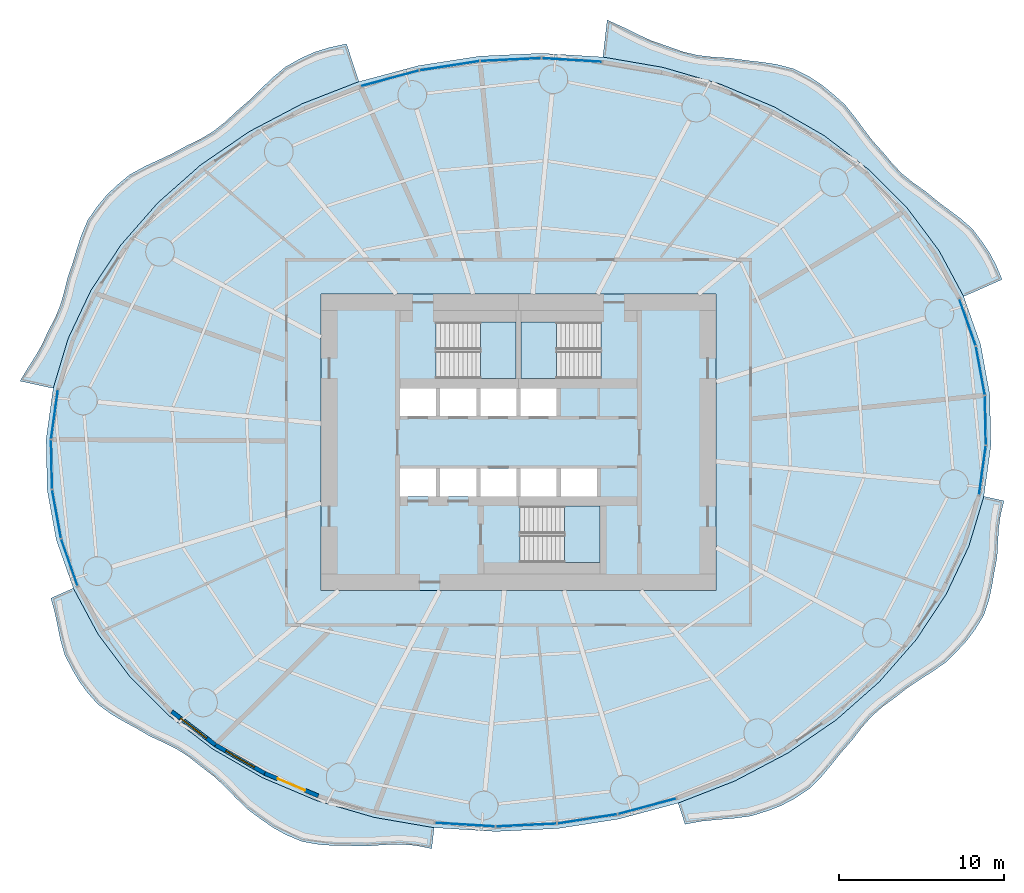
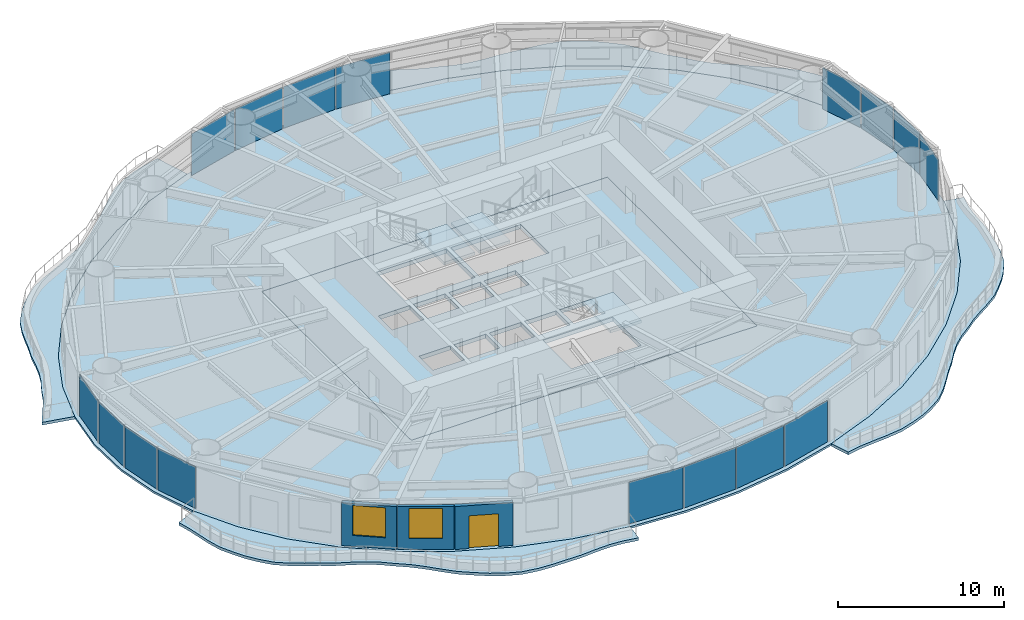
# One storey, part 7 of 16: 16 plates, 9 slabs, 3 walls, 2 windows, 1 door, 3 openings, 19 elements without a shape of their own.
"""IFC4 building model written with IfcOpenShell, lengths in metres."""

import ifcopenshell
import ifcopenshell.guid

model = None  # the IFC model being written
_history = None  # IfcOwnerHistory: only IFC2X3 demands one
_inside = {}  # id of a spatial element -> (the spatial element, [elements in it])
_under = {}  # id of a project, library or spatial element -> (it, [spatial elements below it])
_declared = {}  # id of a project -> (the project, [libraries it declares])
_typed = {}  # id of a type object -> (the type object, [elements of that type])
_made_of = {}  # id of a material, layer set ... -> (it, [elements and type objects made of it])


def new_model(schema):
    """Start an empty IFC model of exactly this schema.

    Asked for "IFC4X3", IfcOpenShell would pick the latest addendum, in which some entities
    have other attributes; the version numbers below select the first issue.
    IFC2X3 requires an IfcOwnerHistory on every rooted entity: one is made here for all.
    """
    global model, _history
    if schema == "IFC4X3":
        model = ifcopenshell.file(schema_version=(4, 3, 0, 0))
    else:
        model = ifcopenshell.file(schema=schema)
    _inside.clear()
    _under.clear()
    _declared.clear()
    _typed.clear()
    _made_of.clear()
    _history = None
    if model.schema == "IFC2X3":
        org = make("IfcOrganization", Name="unknown")
        user = make(
            "IfcPersonAndOrganization",
            ThePerson=make("IfcPerson", FamilyName="unknown"),
            TheOrganization=org,
        )
        app = make(
            "IfcApplication",
            ApplicationDeveloper=org,
            Version="unknown",
            ApplicationFullName="unknown",
            ApplicationIdentifier="unknown",
        )
        _history = make(
            "IfcOwnerHistory",
            OwningUser=user,
            OwningApplication=app,
            ChangeAction="ADDED",
            CreationDate=0,
        )
    return model


def make(cls, **values):
    """One entity of the class cls with the attributes given. An attribute that is None is left unset."""
    return model.create_entity(
        cls, **{name: value for name, value in values.items() if value is not None}
    )


def rooted(cls, **values):
    """An entity with a GlobalId (a new one), such as an element, a storey or a relation."""
    return make(cls, GlobalId=ifcopenshell.guid.new(), OwnerHistory=_history, **values)


def si_unit(unit_type, name, prefix=None):
    """IfcSIUnit, for example si_unit("LENGTHUNIT", "METRE", prefix="MILLI")."""
    return make("IfcSIUnit", UnitType=unit_type, Prefix=prefix, Name=name)


def assignment(units):
    """IfcUnitAssignment: the units of a project."""
    return None if units is None else make("IfcUnitAssignment", Units=units)


def point(xyz):
    """IfcCartesianPoint."""
    return None if xyz is None else make("IfcCartesianPoint", Coordinates=xyz)


def direction(xyz):
    """IfcDirection."""
    return None if xyz is None else make("IfcDirection", DirectionRatios=xyz)


def frame(location, z_axis=None, x_axis=None):
    """IfcAxis2Placement3D, a coordinate frame: its origin and axes. An axis left out is left unset."""
    return make(
        "IfcAxis2Placement3D",
        Location=point(location),
        Axis=direction(z_axis),
        RefDirection=direction(x_axis),
    )


def frame_2d(location, x_axis=None):
    """IfcAxis2Placement2D, a coordinate frame in the plane: its origin and x axis."""
    return make(
        "IfcAxis2Placement2D", Location=point(location), RefDirection=direction(x_axis)
    )


def origin():
    """The frame at (0, 0, 0) with its axes left unset."""
    return frame((0.0, 0.0, 0.0))


def origin_2d():
    """The frame at (0, 0) in the plane with its x axis left unset."""
    return frame_2d((0.0, 0.0))


def place(relative_to, where):
    """IfcLocalPlacement: puts the frame where relative to a parent placement (None: the world)."""
    return make(
        "IfcLocalPlacement", PlacementRelTo=relative_to, RelativePlacement=where
    )


def context(
    kind, dimensions, precision=None, world=None, true_north=None, identifier=None
):
    """IfcGeometricRepresentationContext, for example the 3D "Model" context."""
    return make(
        "IfcGeometricRepresentationContext",
        ContextIdentifier=identifier,
        ContextType=kind,
        CoordinateSpaceDimension=dimensions,
        Precision=precision,
        WorldCoordinateSystem=world,
        TrueNorth=true_north,
    )


def subcontext(parent, identifier, kind, view, scale=None):
    """IfcGeometricRepresentationSubContext, for example "Body" below "Model"."""
    return make(
        "IfcGeometricRepresentationSubContext",
        ContextIdentifier=identifier,
        ContextType=kind,
        ParentContext=parent,
        TargetScale=scale,
        TargetView=view,
    )


def project(units=None, contexts=None):
    """IfcProject with its units and contexts."""
    return rooted(
        "IfcProject",
        Name="project",
        RepresentationContexts=contexts,
        UnitsInContext=assignment(units),
    )


def spatial(cls, under=None, at=None, **own):
    """A site, building, storey or space (cls), placed at a placement, below another one or the project."""
    s = rooted(cls, ObjectPlacement=at, **own)
    if under is not None:
        _under.setdefault(under.id(), (under, []))[1].append(s)
    return s


def polyline(points):
    """IfcPolyline through the points."""
    return make("IfcPolyline", Points=[point(p) for p in points])


def profile(cls, at=None, kind="AREA", **sizes):
    """A parametric profile (cls). Its sizes go by their IFC names, for example OverallWidth=200.0."""
    return make(cls, ProfileType=kind, Position=at, **sizes)


def rectangle(**sizes):
    """IfcRectangleProfileDef."""
    return profile("IfcRectangleProfileDef", **sizes)


def outline(outer, holes=None, kind="AREA"):
    """IfcArbitraryClosedProfileDef: a profile drawn as a closed curve; with holes, ...WithVoids."""
    if holes is None:
        return make("IfcArbitraryClosedProfileDef", ProfileType=kind, OuterCurve=outer)
    return make(
        "IfcArbitraryProfileDefWithVoids",
        ProfileType=kind,
        OuterCurve=outer,
        InnerCurves=holes,
    )


def extrude(swept, where, along, depth):
    """IfcExtrudedAreaSolid: the profile swept, set in the frame where, extruded along a direction by depth."""
    return make(
        "IfcExtrudedAreaSolid",
        SweptArea=swept,
        Position=where,
        ExtrudedDirection=direction(along),
        Depth=depth,
    )


def shape(context_of_items, identifier, shape_type, items):
    """IfcShapeRepresentation: the items that make up one representation, for example the "Body"."""
    return make(
        "IfcShapeRepresentation",
        ContextOfItems=context_of_items,
        RepresentationIdentifier=identifier,
        RepresentationType=shape_type,
        Items=items,
    )


def material(Name=None, Category=None):
    """IfcMaterial."""
    return make("IfcMaterial", Name=Name, Category=Category)


def layer(
    of_material, thickness, ventilated=None, Name=None, Category=None, Priority=None
):
    """IfcMaterialLayer: one layer of a wall or slab, of a material (None: an air gap)."""
    return make(
        "IfcMaterialLayer",
        Material=of_material,
        LayerThickness=thickness,
        IsVentilated=ventilated,
        Name=Name,
        Category=Category,
        Priority=Priority,
    )


def layer_set(layers, Name=None):
    """IfcMaterialLayerSet."""
    return make("IfcMaterialLayerSet", MaterialLayers=layers, LayerSetName=Name)


def made_of(thing, what):
    """Note that an element or type object is made of a material, layer set ...; save() writes the relation."""
    if what is not None:
        _made_of.setdefault(what.id(), (what, []))[1].append(thing)
    return thing


def type_object(cls, material=None, **own):
    """A type object (cls), such as IfcWallType, which elements share."""
    return made_of(rooted(cls, **own), material)


def element(
    cls,
    number,
    at=None,
    inside=None,
    cuts=None,
    type_object=None,
    material=None,
    context=None,
    identifier="Body",
    shape_type=None,
    held_by="IfcProductDefinitionShape",
    body=None,
    shapes=None,
    **own,
):
    """One element of the class cls, such as IfcWall. Its Tag is "e" and its number.

    at: its placement. inside: the storey or other place that contains it. cuts: it is an
    opening in that element (IfcRelVoidsElement). A single representation is given by context,
    identifier, shape_type and body (its items); several are given by shapes. held_by: the class
    of the entity that holds the representations. save() writes the other relations.
    """
    e = rooted(cls, Tag="e%d" % number, ObjectPlacement=at, **own)
    if body is not None:
        shapes = [shape(context, identifier, shape_type, body)]
    if shapes is not None:
        e.Representation = make(held_by, Representations=shapes)
    if inside is not None:
        _inside.setdefault(inside.id(), (inside, []))[1].append(e)
    if cuts is not None:
        rooted(
            "IfcRelVoidsElement", RelatingBuildingElement=cuts, RelatedOpeningElement=e
        )
    if type_object is not None:
        _typed.setdefault(type_object.id(), (type_object, []))[1].append(e)
    return made_of(e, material)


def fill(opening, filler):
    """IfcRelFillsElement: the door or window that sits in an opening."""
    return rooted(
        "IfcRelFillsElement",
        RelatingOpeningElement=opening,
        RelatedBuildingElement=filler,
    )


def aggregate(whole, parts):
    """IfcRelAggregates: a whole, such as a stair, and the parts it consists of."""
    return rooted("IfcRelAggregates", RelatingObject=whole, RelatedObjects=parts)


def save(model, path):
    """Write the relations noted so far, then the file.

    IfcRelAggregates (storeys below a building ...), IfcRelContainedInSpatialStructure (elements
    in a storey), IfcRelDefinesByType, IfcRelAssociatesMaterial and IfcRelDeclares: one each for
    every whole, place, type object, material and project.
    """
    for whole, parts in _under.values():
        aggregate(whole, parts)
    for where, things in _inside.values():
        rooted(
            "IfcRelContainedInSpatialStructure",
            RelatedElements=things,
            RelatingStructure=where,
        )
    for kind, things in _typed.values():
        rooted("IfcRelDefinesByType", RelatedObjects=things, RelatingType=kind)
    for what, things in _made_of.values():
        rooted("IfcRelAssociatesMaterial", RelatedObjects=things, RelatingMaterial=what)
    for by, libraries in _declared.values():
        rooted("IfcRelDeclares", RelatingContext=by, RelatedDefinitions=libraries)
    model.write(path)


model = new_model("IFC4")

# Units and contexts
model_context = context("Model", 3, precision=1e-05, world=origin(), true_north=direction((0.0, 1.0)))
body_context = subcontext(model_context, "Body", "Model", "MODEL_VIEW")
ifc_project = project(units=[si_unit("LENGTHUNIT", "METRE"), si_unit("AREAUNIT", "SQUARE_METRE"), si_unit("VOLUMEUNIT", "CUBIC_METRE"), si_unit("PLANEANGLEUNIT", "RADIAN"), si_unit("MASSUNIT", "GRAM", prefix="KILO")], contexts=[model_context])

# Site, building, storey
site_placement = place(None, origin())
site = spatial("IfcSite", under=ifc_project, at=site_placement, CompositionType="ELEMENT")
building_placement = place(site_placement, origin())
building = spatial("IfcBuilding", under=site, at=building_placement, Name="Vermilion Reach Broadcast Tower", CompositionType="ELEMENT")
storey_placement = place(building_placement, frame((0.0, 0.0, 58.199951171875)))
storey = spatial("IfcBuildingStorey", under=building, at=storey_placement, Name="L11", CompositionType="ELEMENT", Elevation=58.199951171875)

# Slabs
ifc_material_1 = material(Name="Concrete C40/50", Category="concrete")
ifc_layer_1 = layer(ifc_material_1, 0.199951171875)
ifc_layer_set_1 = layer_set([ifc_layer_1], Name="Balcony slab 200")
slab_type_1 = type_object("IfcSlabType", Name="Balcony slab 200", PredefinedType="FLOOR", material=ifc_layer_set_1)
placement_1 = place(storey_placement, frame((0.0, 0.0, -0.199951171875)))
element("IfcSlab", 1, at=placement_1, inside=storey, type_object=slab_type_1, Name="Balcony slab L11 group 1", PredefinedType="FLOOR", context=body_context, shape_type="SweptSolid", body=[
    extrude(outline(polyline([(21.045654296875, 8.86279296875), (19.548583984375, 11.647705078125), (17.6142578125, 14.2333984375), (15.27587890625, 16.575439453125), (12.57373046875, 18.6337890625), (9.553466796875, 20.37353515625), (6.267333984375, 21.764404296875), (2.77099609375, 22.783203125), (-0.875244140625, 23.411865234375), (-0.61328125, 25.660888671875), (0.37451171875, 25.21533203125), (1.23876953125, 24.784423828125), (2.109619140625, 24.391357421875), (3.06640625, 24.061279296875), (3.994873046875, 23.728759765625), (4.882568359375, 23.521484375), (5.798828125, 23.411376953125), (6.8310546875, 23.3486328125), (7.846435546875, 23.206787109375), (8.771728515625, 23.10400390625), (9.681884765625, 22.965576171875), (10.709716796875, 22.6982421875), (11.631103515625, 22.234619140625), (12.365234375, 21.763427734375), (13.052490234375, 21.2109375), (13.82861328125, 20.521484375), (14.469482421875, 19.72119140625), (14.989501953125, 19.00244140625), (15.525390625, 18.304443359375), (16.1689453125, 17.596435546875), (16.75390625, 16.8818359375), (17.3369140625, 16.294677734375), (17.98291015625, 15.7705078125), (18.760009765625, 15.224853515625), (19.480224609375, 14.62109375), (20.157958984375, 14.1201171875), (20.833984375, 13.617431640625), (21.592529296875, 12.951416015625), (22.18310546875, 12.16650390625), (22.624267578125, 11.50634765625), (22.99365234375, 10.8076171875), (23.385498046875, 9.896484375), (21.045654296875, 8.86279296875)])), origin(), (0.0, 0.0, 1.0), 0.199951171875),
])
element("IfcSlab", 2, at=placement_1, inside=storey, type_object=slab_type_1, Name="Balcony slab L11 group 2", PredefinedType="FLOOR", context=body_context, shape_type="SweptSolid", body=[
    extrude(outline(polyline([(-15.697265625, 21.916748046875), (-19.144287109375, 20.572509765625), (-22.36669921875, 18.876220703125), (-25.308837890625, 16.85693359375), (-27.9208984375, 14.549072265625), (-30.15771484375, 11.992431640625), (-31.981201171875, 9.23046875), (-33.360107421875, 6.310791015625), (-34.270751953125, 3.282958984375), (-36.286865234375, 3.72314453125), (-35.783203125, 4.5634765625), (-35.340576171875, 5.255615234375), (-34.93798828125, 5.9599609375), (-34.56884765625, 6.775146484375), (-34.1455078125, 7.574462890625), (-33.84130859375, 8.323486328125), (-33.60986328125, 9.10693359375), (-33.387939453125, 10.02197265625), (-33.067626953125, 10.939453125), (-32.8212890625, 11.768310546875), (-32.55908203125, 12.58642578125), (-32.161865234375, 13.519775390625), (-31.57470703125, 14.360595703125), (-31.03076171875, 15.012939453125), (-30.41552734375, 15.603271484375), (-29.634521484375, 16.254638671875), (-28.714599609375, 16.763427734375), (-27.888427734375, 17.144287109375), (-27.064697265625, 17.528076171875), (-26.20166015625, 18.0009765625), (-25.309326171875, 18.43408203125), (-24.545166015625, 18.897216796875), (-23.840087890625, 19.446533203125), (-23.11962890625, 20.123779296875), (-22.345947265625, 20.791015625), (-21.666748046875, 21.455078125), (-20.987060546875, 22.118408203125), (-20.164794921875, 22.80810546875), (-19.228759765625, 23.334716796875), (-18.38330078125, 23.713134765625), (-17.497314453125, 23.98681640625), (-16.45068359375, 24.2138671875), (-15.697265625, 21.916748046875)])), origin(), (0.0, 0.0, 1.0), 0.199951171875),
])
element("IfcSlab", 3, at=placement_1, inside=storey, type_object=slab_type_1, Name="Balcony slab L11 group 3", PredefinedType="FLOOR", context=body_context, shape_type="SweptSolid", body=[
    extrude(outline(polyline([(-33.045654296875, -8.86279296875), (-31.548583984375, -11.647705078125), (-29.6142578125, -14.2333984375), (-27.27587890625, -16.575439453125), (-24.57373046875, -18.6337890625), (-21.553466796875, -20.37353515625), (-18.267333984375, -21.764404296875), (-14.77099609375, -22.783203125), (-11.124755859375, -23.411865234375), (-11.27294921875, -24.68310546875), (-12.249755859375, -24.49169921875), (-13.17626953125, -24.422119140625), (-14.11962890625, -24.448486328125), (-15.173583984375, -24.524169921875), (-16.221435546875, -24.50634765625), (-17.167724609375, -24.500244140625), (-18.09814453125, -24.43896484375), (-19.151611328125, -24.249267578125), (-20.117919921875, -23.84814453125), (-20.902099609375, -23.411865234375), (-21.651611328125, -22.893798828125), (-22.49609375, -22.268798828125), (-23.231201171875, -21.54052734375), (-23.861572265625, -20.88916015625), (-24.51708984375, -20.28125), (-25.28271484375, -19.700439453125), (-26.00830078125, -19.11572265625), (-26.7255859375, -18.656005859375), (-27.49462890625, -18.26416015625), (-28.39404296875, -17.85400390625), (-29.234375, -17.361572265625), (-29.994384765625, -16.950927734375), (-30.732421875, -16.518798828125), (-31.55810546875, -15.915771484375), (-32.213623046875, -15.169677734375), (-32.691650390625, -14.519287109375), (-33.102294921875, -13.818359375), (-33.56103515625, -12.931396484375), (-33.832763671875, -11.978271484375), (-33.99755859375, -11.16943359375), (-34.16455078125, -10.36181640625), (-34.412353515625, -9.466552734375), (-33.045654296875, -8.86279296875)])), origin(), (0.0, 0.0, 1.0), 0.199951171875),
])
element("IfcSlab", 4, at=placement_1, inside=storey, type_object=slab_type_1, Name="Balcony slab L11 group 4", PredefinedType="FLOOR", context=body_context, shape_type="SweptSolid", body=[
    extrude(outline(polyline([(3.697265625, -21.916748046875), (7.144287109375, -20.572509765625), (10.36669921875, -18.876220703125), (13.308837890625, -16.85693359375), (15.9208984375, -14.549072265625), (18.15771484375, -11.992431640625), (19.981201171875, -9.23046875), (21.360107421875, -6.310791015625), (22.270751953125, -3.282958984375), (23.495849609375, -3.55029296875), (23.28515625, -4.41357421875), (23.17578125, -5.2060546875), (23.126220703125, -6.0166015625), (23.075927734375, -6.9697265625), (22.89453125, -7.92822265625), (22.75732421875, -8.756103515625), (22.580322265625, -9.5654296875), (22.263671875, -10.514404296875), (21.736328125, -11.380859375), (21.236572265625, -12.042236328125), (20.6669921875, -12.65771484375), (19.958251953125, -13.364501953125), (19.111328125, -13.955322265625), (18.35888671875, -14.42529296875), (17.626708984375, -14.9130859375), (16.880859375, -15.50439453125), (16.101806640625, -16.06982421875), (15.453125, -16.65185546875), (14.869384765625, -17.306884765625), (14.268798828125, -18.087158203125), (13.595947265625, -18.8515625), (13.013427734375, -19.57958984375), (12.42041015625, -20.291748046875), (11.67333984375, -21.041015625), (10.788330078125, -21.63134765625), (9.984375, -22.05859375), (9.130615234375, -22.39111328125), (8.117431640625, -22.70458984375), (7.038330078125, -22.8466796875), (6.07470703125, -22.92138671875), (5.11962890625, -23.0185546875), (4.119384765625, -23.20361328125), (3.697265625, -21.916748046875)])), origin(), (0.0, 0.0, 1.0), 0.199951171875),
])
ifc_material_2 = material(Name="Concrete C40", Category="concrete")
ifc_layer_2 = layer(ifc_material_2, 0.300048828125)
ifc_layer_set_2 = layer_set([ifc_layer_2], Name="Core floor slab 300 mm Concrete C40")
slab_type_2 = type_object("IfcSlabType", Name="Core floor slab 300 mm Concrete C40", PredefinedType="FLOOR", material=ifc_layer_set_2)
slab_5_placement = place(storey_placement, frame((0.0, 0.0, -0.300048828125)))
element("IfcSlab", 5, at=slab_5_placement, inside=storey, type_object=slab_type_2, Name="L11 core floor", PredefinedType="FLOOR", context=body_context, shape_type="SweptSolid", body=[
    extrude(outline(polyline([(-18.0, -9.0), (6.0, -9.0), (6.0, 9.0), (-18.0, 9.0), (-18.0, -9.0)]), holes=[polyline([(-13.199951171875, 1.60009765625), (-11.00830078125, 1.60009765625), (-11.00830078125, 3.280029296875), (-13.199951171875, 3.280029296875), (-13.199951171875, 1.60009765625)]), polyline([(-10.75830078125, 1.60009765625), (-8.566650390625, 1.60009765625), (-8.566650390625, 3.280029296875), (-10.75830078125, 3.280029296875), (-10.75830078125, 1.60009765625)]), polyline([(-8.316650390625, 1.60009765625), (-6.125, 1.60009765625), (-6.125, 3.280029296875), (-8.316650390625, 3.280029296875), (-8.316650390625, 1.60009765625)]), polyline([(-5.875, 1.60009765625), (-3.683349609375, 1.60009765625), (-3.683349609375, 3.280029296875), (-5.875, 3.280029296875), (-5.875, 1.60009765625)]), polyline([(-13.199951171875, -3.280029296875), (-11.00830078125, -3.280029296875), (-11.00830078125, -1.60009765625), (-13.199951171875, -1.60009765625), (-13.199951171875, -3.280029296875)]), polyline([(-10.75830078125, -3.280029296875), (-8.566650390625, -3.280029296875), (-8.566650390625, -1.60009765625), (-10.75830078125, -1.60009765625), (-10.75830078125, -3.280029296875)]), polyline([(-8.316650390625, -3.280029296875), (-6.125, -3.280029296875), (-6.125, -1.60009765625), (-8.316650390625, -1.60009765625), (-8.316650390625, -3.280029296875)]), polyline([(-5.875, -3.280029296875), (-3.683349609375, -3.280029296875), (-3.683349609375, -1.60009765625), (-5.875, -1.60009765625), (-5.875, -3.280029296875)]), polyline([(-3.433349609375, -3.280029296875), (-1.24169921875, -3.280029296875), (-1.24169921875, -1.60009765625), (-3.433349609375, -1.60009765625), (-3.433349609375, -3.280029296875)]), polyline([(-10.999267578125, 3.8798828125), (-6.14990234375, 3.8798828125), (-6.14990234375, 7.300048828125), (-10.999267578125, 7.300048828125), (-10.999267578125, 3.8798828125)]), polyline([(-1.000732421875, 7.300048828125), (-5.85009765625, 7.300048828125), (-5.85009765625, 3.8798828125), (-1.000732421875, 3.8798828125), (-1.000732421875, 7.300048828125)]), polyline([(-5.8994140625, -7.300048828125), (-1.050048828125, -7.300048828125), (-1.050048828125, -3.8798828125), (-5.8994140625, -3.8798828125), (-5.8994140625, -7.300048828125)])]), origin(), (0.0, 0.0, 1.0), 0.300048828125),
])

# Stair, slab
ifc_material_3 = material(Name="Concrete C40", Category="concrete")
stair_type = type_object("IfcStairType", Name="Exit stair RC 22 risers 168 mm", PredefinedType="HALF_TURN_STAIR", material=ifc_material_3)
placement_2 = place(storey_placement, origin())
stair_1 = element("IfcStair", 6, at=placement_2, inside=storey, type_object=stair_type, Name="L11 Exit stair ST1", PredefinedType="HALF_TURN_STAIR")
ifc_material_4 = material(Name="Concrete C40", Category="concrete")
ifc_layer_3 = layer(ifc_material_4, 0.199951171875)
ifc_layer_set_3 = layer_set([ifc_layer_3], Name="Exit stair landing Concrete C40")
slab_type_3 = type_object("IfcSlabType", Name="Exit stair landing Concrete C40", PredefinedType="LANDING", material=ifc_layer_set_3)
placement_3 = place(storey_placement, frame((0.0, 0.0, 1.650146484375)))
slab_6 = element("IfcSlab", 7, at=placement_3, type_object=slab_type_3, Name="ST1 landing 1", PredefinedType="LANDING", context=body_context, shape_type="SweptSolid", body=[
    extrude(outline(polyline([(-8.300048828125, 3.8798828125), (-6.14990234375, 3.8798828125), (-6.14990234375, 7.300048828125), (-8.300048828125, 7.300048828125), (-8.300048828125, 3.8798828125)])), origin(), (0.0, 0.0, 1.0), 0.199951171875),
])
aggregate(stair_1, [slab_6])

stair_2 = element("IfcStair", 8, at=placement_2, inside=storey, type_object=stair_type, Name="L11 Exit stair ST2", PredefinedType="HALF_TURN_STAIR")
slab_7 = element("IfcSlab", 9, at=placement_3, type_object=slab_type_3, Name="ST2 landing 1", PredefinedType="LANDING", context=body_context, shape_type="SweptSolid", body=[
    extrude(outline(polyline([(-3.699951171875, 7.300048828125), (-5.85009765625, 7.300048828125), (-5.85009765625, 3.8798828125), (-3.699951171875, 3.8798828125), (-3.699951171875, 7.300048828125)])), origin(), (0.0, 0.0, 1.0), 0.199951171875),
])
aggregate(stair_2, [slab_7])

stair_3 = element("IfcStair", 10, at=placement_2, inside=storey, type_object=stair_type, Name="L11 Exit stair ST3", PredefinedType="HALF_TURN_STAIR")
slab_8 = element("IfcSlab", 11, at=placement_3, type_object=slab_type_3, Name="ST3 landing 1", PredefinedType="LANDING", context=body_context, shape_type="SweptSolid", body=[
    extrude(outline(polyline([(-3.199951171875, -7.300048828125), (-1.050048828125, -7.300048828125), (-1.050048828125, -3.8798828125), (-3.199951171875, -3.8798828125), (-3.199951171875, -7.300048828125)])), origin(), (0.0, 0.0, 1.0), 0.199951171875),
])
aggregate(stair_3, [slab_8])

# Slab
ifc_material_5 = material(Name="Concrete C40", Category="concrete")
ifc_layer_4 = layer(ifc_material_5, 0.14990234375)
ifc_layer_set_4 = layer_set([ifc_layer_4], Name="Floor slab Concrete C40 composite 150")
slab_type_4 = type_object("IfcSlabType", Name="Floor slab Concrete C40 composite 150", PredefinedType="FLOOR", material=ifc_layer_set_4)
slab_9_placement = place(storey_placement, frame((0.0, 0.0, -0.14990234375)))
element("IfcSlab", 12, at=slab_9_placement, inside=storey, type_object=slab_type_4, Name="Floor slab L11", PredefinedType="FLOOR", context=body_context, shape_type="SweptSolid", body=[
    extrude(outline(polyline([(22.634033203125, 2.888427734375), (22.080078125, 5.92626953125), (21.045654296875, 8.86279296875), (19.548583984375, 11.647705078125), (17.6142578125, 14.2333984375), (15.27587890625, 16.575439453125), (12.57373046875, 18.6337890625), (9.553466796875, 20.37353515625), (6.267333984375, 21.764404296875), (2.77099609375, 22.783203125), (-0.875244140625, 23.411865234375), (-4.609130859375, 23.64013671875), (-8.366943359375, 23.4638671875), (-12.083984375, 22.88623046875), (-15.697265625, 21.916748046875), (-19.144287109375, 20.572509765625), (-22.36669921875, 18.876220703125), (-25.308837890625, 16.85693359375), (-27.9208984375, 14.549072265625), (-30.15771484375, 11.992431640625), (-31.981201171875, 9.23046875), (-33.360107421875, 6.310791015625), (-34.270751953125, 3.282958984375), (-34.697998046875, 0.198974609375), (-34.634033203125, -2.888427734375), (-34.080078125, -5.92626953125), (-33.045654296875, -8.86279296875), (-31.548583984375, -11.647705078125), (-29.6142578125, -14.2333984375), (-27.27587890625, -16.575439453125), (-24.57373046875, -18.6337890625), (-21.553466796875, -20.37353515625), (-18.267333984375, -21.764404296875), (-14.77099609375, -22.783203125), (-11.124755859375, -23.411865234375), (-7.390869140625, -23.64013671875), (-3.633056640625, -23.4638671875), (0.083984375, -22.88623046875), (3.697265625, -21.916748046875), (7.144287109375, -20.572509765625), (10.36669921875, -18.876220703125), (13.308837890625, -16.85693359375), (15.9208984375, -14.549072265625), (18.15771484375, -11.992431640625), (19.981201171875, -9.23046875), (21.360107421875, -6.310791015625), (22.270751953125, -3.282958984375), (22.697998046875, -0.198974609375), (22.634033203125, 2.888427734375)]), holes=[polyline([(-18.0, -9.0), (6.0, -9.0), (6.0, 9.0), (-18.0, 9.0), (-18.0, -9.0)])]), origin(), (0.0, 0.0, 1.0), 0.14990234375),
])

# Curtain wall, plate
ifc_material_6 = material(Name="Low-e laminated clear glass in aluminium frame", Category="aluminium")
curtain_wall_type = type_object("IfcCurtainWallType", Name="Slot curtain wall", PredefinedType="NOTDEFINED", material=ifc_material_6)
curtain_wall_1 = element("IfcCurtainWall", 13, at=placement_2, inside=storey, type_object=curtain_wall_type, Name="Slot curtain wall L11 46", PredefinedType="NOTDEFINED")
ifc_material_7 = material(Name="Low-e laminated clear glass", Category="glass")
ifc_layer_5 = layer(ifc_material_7, 0.028076171875)
ifc_layer_set_5 = layer_set([ifc_layer_5], Name="Slot glass panel")
plate_type = type_object("IfcPlateType", Name="Slot glass panel", PredefinedType="CURTAIN_PANEL", material=ifc_layer_set_5)
plate_1_placement = place(storey_placement, frame((22.18798828125, -1.7001953125, 0.0), z_axis=(0.0, 0.0, 1.0), x_axis=(0.137177071639, 0.99054654157, 0.0)))
plate_1 = element("IfcPlate", 14, at=plate_1_placement, type_object=plate_type, Name="Slot glass panel L11 46", PredefinedType="CURTAIN_PANEL", context=body_context, shape_type="SweptSolid", body=[
    extrude(rectangle(XDim=2.986328125, YDim=0.028076171875, at=origin_2d()), origin(), (0.0, 0.0, 1.0), 3.050048828125),
])
aggregate(curtain_wall_1, [plate_1])

curtain_wall_2 = element("IfcCurtainWall", 15, at=placement_2, inside=storey, type_object=curtain_wall_type, Name="Slot curtain wall L11 47", PredefinedType="NOTDEFINED")
plate_2_placement = place(storey_placement, frame((22.366943359375, 1.33837890625, 0.0), z_axis=(0.0, 0.0, 1.0), x_axis=(-0.020711523595, 0.999785493389, 0.0)))
plate_2 = element("IfcPlate", 16, at=plate_2_placement, type_object=plate_type, Name="Slot glass panel L11 47", PredefinedType="CURTAIN_PANEL", context=body_context, shape_type="SweptSolid", body=[
    extrude(rectangle(XDim=2.960205078125, YDim=0.028076171875, at=origin_2d()), origin(), (0.0, 0.0, 1.0), 3.050048828125),
])
aggregate(curtain_wall_2, [plate_2])

curtain_wall_3 = element("IfcCurtainWall", 17, at=placement_2, inside=storey, type_object=curtain_wall_type, Name="Slot curtain wall L11 00", PredefinedType="NOTDEFINED")
plate_3_placement = place(storey_placement, frame((22.062744140625, 4.353759765625, 0.0), z_axis=(0.0, 0.0, 1.0), x_axis=(-0.179372872876, 0.983781160867, 0.0)))
plate_3 = element("IfcPlate", 18, at=plate_3_placement, type_object=plate_type, Name="Slot glass panel L11 00", PredefinedType="CURTAIN_PANEL", context=body_context, shape_type="SweptSolid", body=[
    extrude(rectangle(XDim=2.960205078125, YDim=0.028076171875, at=origin_2d()), origin(), (0.0, 0.0, 1.0), 3.050048828125),
])
aggregate(curtain_wall_3, [plate_3])

curtain_wall_4 = element("IfcCurtainWall", 19, at=placement_2, inside=storey, type_object=curtain_wall_type, Name="Slot curtain wall L11 01", PredefinedType="NOTDEFINED")
plate_4_placement = place(storey_placement, frame((21.28076171875, 7.29541015625, 0.0), z_axis=(0.0, 0.0, 1.0), x_axis=(-0.33223568943, 0.943196398779, 0.0)))
plate_4 = element("IfcPlate", 20, at=plate_4_placement, type_object=plate_type, Name="Slot glass panel L11 01", PredefinedType="CURTAIN_PANEL", context=body_context, shape_type="SweptSolid", body=[
    extrude(rectangle(XDim=2.986328125, YDim=0.028076171875, at=origin_2d()), origin(), (0.0, 0.0, 1.0), 3.050048828125),
])
aggregate(curtain_wall_4, [plate_4])

curtain_wall_5 = element("IfcCurtainWall", 21, at=placement_2, inside=storey, type_object=curtain_wall_type, Name="Slot curtain wall L11 10", PredefinedType="NOTDEFINED")
plate_5_placement = place(storey_placement, frame((-2.760498046875, 23.22705078125, 0.0), z_axis=(0.0, 0.0, 1.0), x_axis=(-0.99813740006, 0.061005988245, 0.0)))
plate_5 = element("IfcPlate", 22, at=plate_5_placement, type_object=plate_type, Name="Slot glass panel L11 10", PredefinedType="CURTAIN_PANEL", context=body_context, shape_type="SweptSolid", body=[
    extrude(rectangle(XDim=3.62841796875, YDim=0.028076171875, at=origin_2d()), origin(), (0.0, 0.0, 1.0), 3.050048828125),
])
aggregate(curtain_wall_5, [plate_5])

curtain_wall_6 = element("IfcCurtainWall", 23, at=placement_2, inside=storey, type_object=curtain_wall_type, Name="Slot curtain wall L11 11", PredefinedType="NOTDEFINED")
plate_6_placement = place(storey_placement, frame((-6.473876953125, 23.252685546875, 0.0), z_axis=(0.0, 0.0, 1.0), x_axis=(-0.998901611908, -0.046856906934, 0.0)))
plate_6 = element("IfcPlate", 24, at=plate_6_placement, type_object=plate_type, Name="Slot glass panel L11 11", PredefinedType="CURTAIN_PANEL", context=body_context, shape_type="SweptSolid", body=[
    extrude(rectangle(XDim=3.649658203125, YDim=0.028076171875, at=origin_2d()), origin(), (0.0, 0.0, 1.0), 3.050048828125),
])
aggregate(curtain_wall_6, [plate_6])

curtain_wall_7 = element("IfcCurtainWall", 25, at=placement_2, inside=storey, type_object=curtain_wall_type, Name="Slot curtain wall L11 12", PredefinedType="NOTDEFINED")
plate_7_placement = place(storey_placement, frame((-10.179443359375, 22.87890625, 0.0), z_axis=(0.0, 0.0, 1.0), x_axis=(-0.988136588321, -0.153577611719, 0.0)))
plate_7 = element("IfcPlate", 26, at=plate_7_placement, type_object=plate_type, Name="Slot glass panel L11 12", PredefinedType="CURTAIN_PANEL", context=body_context, shape_type="SweptSolid", body=[
    extrude(rectangle(XDim=3.649658203125, YDim=0.028076171875, at=origin_2d()), origin(), (0.0, 0.0, 1.0), 3.050048828125),
])
aggregate(curtain_wall_7, [plate_7])

curtain_wall_8 = element("IfcCurtainWall", 27, at=placement_2, inside=storey, type_object=curtain_wall_type, Name="Slot curtain wall L11 13", PredefinedType="NOTDEFINED")
plate_8_placement = place(storey_placement, frame((-13.81298828125, 22.1123046875, 0.0), z_axis=(0.0, 0.0, 1.0), x_axis=(-0.965846506344, -0.259114889931, 0.0)))
plate_8 = element("IfcPlate", 28, at=plate_8_placement, type_object=plate_type, Name="Slot glass panel L11 13", PredefinedType="CURTAIN_PANEL", context=body_context, shape_type="SweptSolid", body=[
    extrude(rectangle(XDim=3.62841796875, YDim=0.028076171875, at=origin_2d()), origin(), (0.0, 0.0, 1.0), 3.050048828125),
])
aggregate(curtain_wall_8, [plate_8])

curtain_wall_9 = element("IfcCurtainWall", 29, at=placement_2, inside=storey, type_object=curtain_wall_type, Name="Slot curtain wall L11 22", PredefinedType="NOTDEFINED")
plate_9_placement = place(storey_placement, frame((-34.18798828125, 1.7001953125, 0.0), z_axis=(0.0, 0.0, 1.0), x_axis=(-0.137177071639, -0.99054654157, 0.0)))
plate_9 = element("IfcPlate", 30, at=plate_9_placement, type_object=plate_type, Name="Slot glass panel L11 22", PredefinedType="CURTAIN_PANEL", context=body_context, shape_type="SweptSolid", body=[
    extrude(rectangle(XDim=2.986328125, YDim=0.028076171875, at=origin_2d()), origin(), (0.0, 0.0, 1.0), 3.050048828125),
])
aggregate(curtain_wall_9, [plate_9])

curtain_wall_10 = element("IfcCurtainWall", 31, at=placement_2, inside=storey, type_object=curtain_wall_type, Name="Slot curtain wall L11 23", PredefinedType="NOTDEFINED")
plate_10_placement = place(storey_placement, frame((-34.366943359375, -1.33837890625, 0.0), z_axis=(0.0, 0.0, 1.0), x_axis=(0.020711523595, -0.999785493389, 0.0)))
plate_10 = element("IfcPlate", 32, at=plate_10_placement, type_object=plate_type, Name="Slot glass panel L11 23", PredefinedType="CURTAIN_PANEL", context=body_context, shape_type="SweptSolid", body=[
    extrude(rectangle(XDim=2.960205078125, YDim=0.028076171875, at=origin_2d()), origin(), (0.0, 0.0, 1.0), 3.050048828125),
])
aggregate(curtain_wall_10, [plate_10])

curtain_wall_11 = element("IfcCurtainWall", 33, at=placement_2, inside=storey, type_object=curtain_wall_type, Name="Slot curtain wall L11 24", PredefinedType="NOTDEFINED")
plate_11_placement = place(storey_placement, frame((-34.062744140625, -4.353759765625, 0.0), z_axis=(0.0, 0.0, 1.0), x_axis=(0.179372872876, -0.983781160867, 0.0)))
plate_11 = element("IfcPlate", 34, at=plate_11_placement, type_object=plate_type, Name="Slot glass panel L11 24", PredefinedType="CURTAIN_PANEL", context=body_context, shape_type="SweptSolid", body=[
    extrude(rectangle(XDim=2.960205078125, YDim=0.028076171875, at=origin_2d()), origin(), (0.0, 0.0, 1.0), 3.050048828125),
])
aggregate(curtain_wall_11, [plate_11])

curtain_wall_12 = element("IfcCurtainWall", 35, at=placement_2, inside=storey, type_object=curtain_wall_type, Name="Slot curtain wall L11 25", PredefinedType="NOTDEFINED")
plate_12_placement = place(storey_placement, frame((-33.28076171875, -7.29541015625, 0.0), z_axis=(0.0, 0.0, 1.0), x_axis=(0.33223568943, -0.943196398779, 0.0)))
plate_12 = element("IfcPlate", 36, at=plate_12_placement, type_object=plate_type, Name="Slot glass panel L11 25", PredefinedType="CURTAIN_PANEL", context=body_context, shape_type="SweptSolid", body=[
    extrude(rectangle(XDim=2.986328125, YDim=0.028076171875, at=origin_2d()), origin(), (0.0, 0.0, 1.0), 3.050048828125),
])
aggregate(curtain_wall_12, [plate_12])

curtain_wall_13 = element("IfcCurtainWall", 37, at=placement_2, inside=storey, type_object=curtain_wall_type, Name="Slot curtain wall L11 34", PredefinedType="NOTDEFINED")
plate_13_placement = place(storey_placement, frame((-9.239501953125, -23.22705078125, 0.0), z_axis=(0.0, 0.0, 1.0), x_axis=(0.99813740006, -0.061005988245, 0.0)))
plate_13 = element("IfcPlate", 38, at=plate_13_placement, type_object=plate_type, Name="Slot glass panel L11 34", PredefinedType="CURTAIN_PANEL", context=body_context, shape_type="SweptSolid", body=[
    extrude(rectangle(XDim=3.62841796875, YDim=0.028076171875, at=origin_2d()), origin(), (0.0, 0.0, 1.0), 3.050048828125),
])
aggregate(curtain_wall_13, [plate_13])

curtain_wall_14 = element("IfcCurtainWall", 39, at=placement_2, inside=storey, type_object=curtain_wall_type, Name="Slot curtain wall L11 35", PredefinedType="NOTDEFINED")
plate_14_placement = place(storey_placement, frame((-5.526123046875, -23.252685546875, 0.0), z_axis=(0.0, 0.0, 1.0), x_axis=(0.998901611908, 0.046856906934, 0.0)))
plate_14 = element("IfcPlate", 40, at=plate_14_placement, type_object=plate_type, Name="Slot glass panel L11 35", PredefinedType="CURTAIN_PANEL", context=body_context, shape_type="SweptSolid", body=[
    extrude(rectangle(XDim=3.649658203125, YDim=0.028076171875, at=origin_2d()), origin(), (0.0, 0.0, 1.0), 3.050048828125),
])
aggregate(curtain_wall_14, [plate_14])

curtain_wall_15 = element("IfcCurtainWall", 41, at=placement_2, inside=storey, type_object=curtain_wall_type, Name="Slot curtain wall L11 36", PredefinedType="NOTDEFINED")
plate_15_placement = place(storey_placement, frame((-1.820556640625, -22.87890625, 0.0), z_axis=(0.0, 0.0, 1.0), x_axis=(0.988136588321, 0.153577611719, 0.0)))
plate_15 = element("IfcPlate", 42, at=plate_15_placement, type_object=plate_type, Name="Slot glass panel L11 36", PredefinedType="CURTAIN_PANEL", context=body_context, shape_type="SweptSolid", body=[
    extrude(rectangle(XDim=3.649658203125, YDim=0.028076171875, at=origin_2d()), origin(), (0.0, 0.0, 1.0), 3.050048828125),
])
aggregate(curtain_wall_15, [plate_15])

curtain_wall_16 = element("IfcCurtainWall", 43, at=placement_2, inside=storey, type_object=curtain_wall_type, Name="Slot curtain wall L11 37", PredefinedType="NOTDEFINED")
plate_16_placement = place(storey_placement, frame((1.81298828125, -22.1123046875, 0.0), z_axis=(0.0, 0.0, 1.0), x_axis=(0.965846506344, 0.259114889931, 0.0)))
plate_16 = element("IfcPlate", 44, at=plate_16_placement, type_object=plate_type, Name="Slot glass panel L11 37", PredefinedType="CURTAIN_PANEL", context=body_context, shape_type="SweptSolid", body=[
    extrude(rectangle(XDim=3.62841796875, YDim=0.028076171875, at=origin_2d()), origin(), (0.0, 0.0, 1.0), 3.050048828125),
])
aggregate(curtain_wall_16, [plate_16])

# Wall, opening, window
ifc_material_8 = material(Name="Terracotta rainscreen cladding", Category="masonry")
ifc_layer_6 = layer(ifc_material_8, 0.25)
ifc_layer_set_6 = layer_set([ifc_layer_6], Name="Terracotta rainscreen wall 250")
wall_type = type_object("IfcWallType", Name="Terracotta rainscreen wall 250", PredefinedType="SOLIDWALL", material=ifc_layer_set_6)
wall_1_placement = place(storey_placement, frame((-27.06884765625, -16.35693359375, 0.0), z_axis=(0.0, 0.0, 1.0), x_axis=(0.795504012695, -0.605948319402, 0.0)))
wall_1 = element("IfcWall", 45, at=wall_1_placement, inside=storey, type_object=wall_type, Name="External wall L11 29", PredefinedType="SOLIDWALL", context=body_context, shape_type="SweptSolid", body=[
    extrude(rectangle(XDim=3.333251953125, YDim=0.25, at=frame_2d((1.66650390625, 0.0))), origin(), (0.0, 0.0, 1.0), 3.150146484375),
])
opening_1_placement = place(wall_1_placement, frame((0.66650390625, 0.0, 0.800048828125)))
opening_1 = element("IfcOpeningElement", 46, at=opening_1_placement, cuts=wall_1, Name="Opening W01", PredefinedType="OPENING", context=body_context, shape_type="SweptSolid", body=[
    extrude(rectangle(XDim=2.0, YDim=2.199951171875, at=frame_2d((1.0, 1.10009765625))), frame((0.0, 0.135009765625, 0.0), z_axis=(0.0, -1.0, 0.0), x_axis=(1.0, 0.0, 0.0)), (0.0, 0.0, 1.0), 0.27001953125),
])
ifc_material_9 = material(Name="Low-e laminated clear glass in aluminium frame", Category="aluminium")
window_type = type_object("IfcWindowType", Name="Punched window 2000 x 2200 sill 800", PartitioningType="SINGLE_PANEL", PredefinedType="WINDOW", material=ifc_material_9)
window_1_placement = place(opening_1_placement, origin())
window_1 = element("IfcWindow", 47, at=window_1_placement, inside=storey, type_object=window_type, Name="Window L11 29", OverallHeight=2.199951171875, OverallWidth=2.0, PartitioningType="SINGLE_PANEL", PredefinedType="WINDOW", context=body_context, shape_type="SweptSolid", body=[
    extrude(rectangle(XDim=2.0, YDim=2.199951171875, at=frame_2d((1.0, 1.10009765625))), frame((0.0, 0.030029296875, 0.0), z_axis=(0.0, -1.0, 0.0), x_axis=(1.0, 0.0, 0.0)), (0.0, 0.0, 1.0), 0.06005859375),
])
fill(opening_1, window_1)

wall_2_placement = place(storey_placement, frame((-24.397216796875, -18.389892578125, 0.0), z_axis=(0.0, 0.0, 1.0), x_axis=(0.866535553406, -0.499115352081, 0.0)))
wall_2 = element("IfcWall", 48, at=wall_2_placement, inside=storey, type_object=wall_type, Name="External wall L11 30", PredefinedType="SOLIDWALL", context=body_context, shape_type="SweptSolid", body=[
    extrude(rectangle(XDim=3.424072265625, YDim=0.25, at=frame_2d((1.7119140625, 0.0))), origin(), (0.0, 0.0, 1.0), 3.150146484375),
])
opening_2_placement = place(wall_2_placement, frame((0.712158203125, 0.0, 0.800048828125)))
opening_2 = element("IfcOpeningElement", 49, at=opening_2_placement, cuts=wall_2, Name="Opening W01", PredefinedType="OPENING", context=body_context, shape_type="SweptSolid", body=[
    extrude(rectangle(XDim=2.0, YDim=2.199951171875, at=frame_2d((1.0, 1.10009765625))), frame((0.0, 0.135009765625, 0.0), z_axis=(0.0, -1.0, 0.0), x_axis=(1.0, 0.0, 0.0)), (0.0, 0.0, 1.0), 0.27001953125),
])
window_2_placement = place(opening_2_placement, origin())
window_2 = element("IfcWindow", 50, at=window_2_placement, inside=storey, type_object=window_type, Name="Window L11 30", OverallHeight=2.199951171875, OverallWidth=2.0, PartitioningType="SINGLE_PANEL", PredefinedType="WINDOW", context=body_context, shape_type="SweptSolid", body=[
    extrude(rectangle(XDim=2.0, YDim=2.199951171875, at=frame_2d((1.0, 1.10009765625))), frame((0.0, 0.030029296875, 0.0), z_axis=(0.0, -1.0, 0.0), x_axis=(1.0, 0.0, 0.0)), (0.0, 0.0, 1.0), 0.06005859375),
])
fill(opening_2, window_2)

# Wall, opening, door
wall_3_placement = place(storey_placement, frame((-21.409423828125, -20.109375, 0.0), z_axis=(0.0, 0.0, 1.0), x_axis=(0.920920201112, -0.389751181119, 0.0)))
wall_3 = element("IfcWall", 51, at=wall_3_placement, inside=storey, type_object=wall_type, Name="External wall L11 31", PredefinedType="SOLIDWALL", context=body_context, shape_type="SweptSolid", body=[
    extrude(rectangle(XDim=3.509765625, YDim=0.25, at=frame_2d((1.7548828125, 0.0))), origin(), (0.0, 0.0, 1.0), 3.150146484375),
])
opening_3_placement = place(wall_3_placement, frame((0.85498046875, 0.0, 0.0)))
opening_3 = element("IfcOpeningElement", 52, at=opening_3_placement, cuts=wall_3, Name="Opening D70", PredefinedType="OPENING", context=body_context, shape_type="SweptSolid", body=[
    extrude(rectangle(XDim=1.800048828125, YDim=2.39990234375, at=frame_2d((0.89990234375, 1.199951171875))), frame((0.0, 0.135009765625, 0.0), z_axis=(0.0, -1.0, 0.0), x_axis=(1.0, 0.0, 0.0)), (0.0, 0.0, 1.0), 0.27001953125),
])
ifc_material_10 = material(Name="Low-e laminated clear glass in aluminium frame", Category="aluminium")
door_type = type_object("IfcDoorType", Name="Balcony sliding door 1800 x 2400", OperationType="DOUBLE_DOOR_SLIDING", PredefinedType="DOOR", material=ifc_material_10)
door_placement = place(opening_3_placement, origin())
door = element("IfcDoor", 53, at=door_placement, inside=storey, type_object=door_type, Name="Balcony door L11 run 08", OperationType="DOUBLE_DOOR_SLIDING", OverallHeight=2.39990234375, OverallWidth=1.800048828125, PredefinedType="DOOR", context=body_context, shape_type="SweptSolid", body=[
    extrude(rectangle(XDim=1.800048828125, YDim=2.39990234375, at=frame_2d((0.89990234375, 1.199951171875))), frame((0.0, 0.02490234375, 0.0), z_axis=(0.0, -1.0, 0.0), x_axis=(1.0, 0.0, 0.0)), (0.0, 0.0, 1.0), 0.050048828125),
])
fill(opening_3, door)

save(model, "model.ifc")
